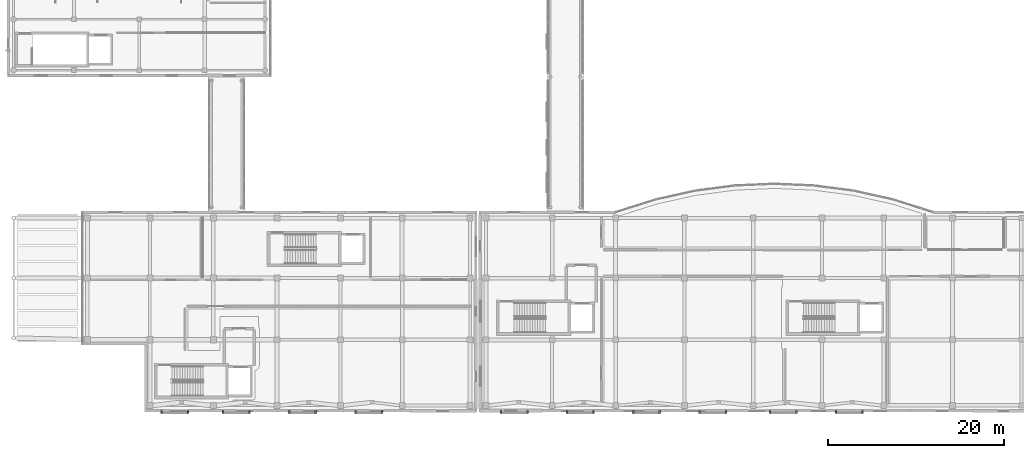
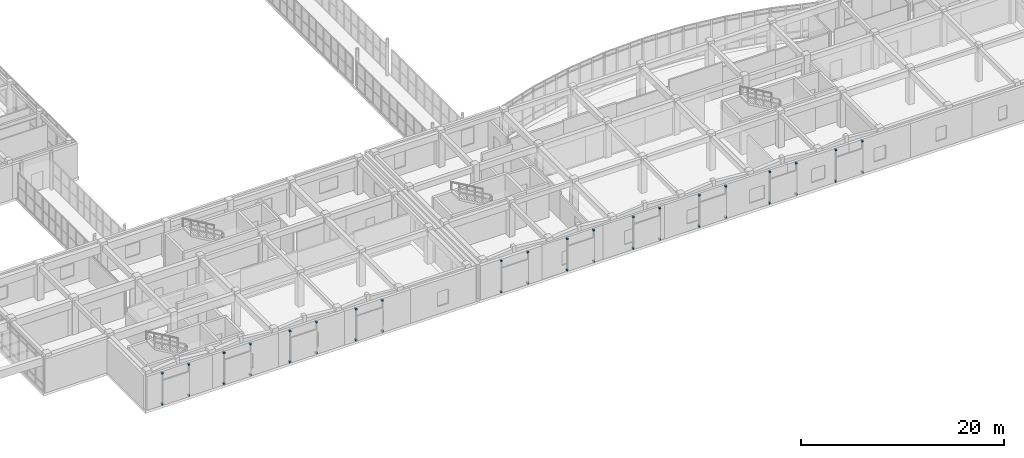
# One storey, part 132 of 142: 40 discrete accessories.
"""IFC4 building model written with IfcOpenShell, lengths in metres."""

from ifc_helpers import new_model, si_unit, direction, frame, origin, origin_2d, place, context, subcontext, project, spatial, rectangle, extrude, material, layer, layer_set, type_object, element, save


model = new_model("IFC4")

# Units and contexts
model_context = context("Model", 3, precision=1e-05, world=origin(), true_north=direction((0.0, 1.0)))
body_context = subcontext(model_context, "Body", "Model", "MODEL_VIEW")
ifc_project = project(units=[si_unit("LENGTHUNIT", "METRE"), si_unit("AREAUNIT", "SQUARE_METRE"), si_unit("VOLUMEUNIT", "CUBIC_METRE"), si_unit("PLANEANGLEUNIT", "RADIAN"), si_unit("MASSUNIT", "GRAM", prefix="KILO")], contexts=[model_context])

# Site, building, storey
site_placement = place(None, origin())
site = spatial("IfcSite", under=ifc_project, at=site_placement, CompositionType="ELEMENT")
building_placement = place(site_placement, origin())
building = spatial("IfcBuilding", under=site, at=building_placement, Name="Valcora Specialist Clinic", CompositionType="ELEMENT")
storey_placement = place(building_placement, frame((0.0, 0.0, 5.10009765625)))
storey = spatial("IfcBuildingStorey", under=building, at=storey_placement, Name="L01", CompositionType="ELEMENT", Elevation=5.10009765625)

# Discrete accessories
ifc_material = material(Name="Stainless Steel AISI 316", Category="steel")
ifc_layer = layer(ifc_material, 0.280029296875)
ifc_layer_set = layer_set([ifc_layer], Name="Stainless Steel AISI 316")
discrete_accessory_type = type_object("IfcDiscreteAccessoryType", Name="TY-DA-BRK250", PredefinedType="BRACKET", material=ifc_layer_set)
for number, where, z_axis, x_axis, name in (
    (1, (17.5, 0.030029296875, 0.08984375), (0.0, 0.0, 1.0), (1.0, 0.0, 0.0), "Stainless facade standoff bracket 41"),
    (2, (17.5, 0.030029296875, 3.80517578125), (0.0, 0.0, 1.0), (1.0, 0.0, 0.0), "Stainless facade standoff bracket 42"),
    (3, (20.5, 0.030029296875, 0.08984375), (0.0, 0.0, 1.0), (1.0, 0.0, 0.0), "Stainless facade standoff bracket 43"),
    (4, (20.5, 0.030029296875, 3.80517578125), (0.0, 0.0, 1.0), (1.0, 0.0, 0.0), "Stainless facade standoff bracket 44"),
    (5, (24.5, 0.030029296875, 0.08984375), (0.0, 0.0, 1.0), (1.0, 0.0, 0.0), "Stainless facade standoff bracket 45"),
    (6, (24.5, 0.030029296875, 3.80517578125), (0.0, 0.0, 1.0), (1.0, 0.0, 0.0), "Stainless facade standoff bracket 46"),
    (7, (27.5, 0.030029296875, 0.08984375), (0.0, 0.0, 1.0), (1.0, 0.0, 0.0), "Stainless facade standoff bracket 47"),
    (8, (27.5, 0.030029296875, 3.80517578125), (0.0, 0.0, 1.0), (1.0, 0.0, 0.0), "Stainless facade standoff bracket 48"),
    (9, (32.0, 0.030029296875, 0.08984375), (0.0, 0.0, 1.0), (1.0, 0.0, 0.0), "Stainless facade standoff bracket 49"),
    (10, (32.0, 0.030029296875, 3.80517578125), (0.0, 0.0, 1.0), (1.0, 0.0, 0.0), "Stainless facade standoff bracket 50"),
    (11, (35.0, 0.030029296875, 0.08984375), (0.0, 0.0, 1.0), (1.0, 0.0, 0.0), "Stainless facade standoff bracket 51"),
    (12, (35.0, 0.030029296875, 3.80517578125), (0.0, 0.0, 1.0), (1.0, 0.0, 0.0), "Stainless facade standoff bracket 52"),
    (13, (39.5, 0.030029296875, 0.08984375), (0.0, 0.0, 1.0), (1.0, 0.0, 0.0), "Stainless facade standoff bracket 53"),
    (14, (39.5, 0.030029296875, 3.80517578125), (0.0, 0.0, 1.0), (1.0, 0.0, 0.0), "Stainless facade standoff bracket 54"),
    (15, (42.5, 0.030029296875, 0.08984375), (0.0, 0.0, 1.0), (1.0, 0.0, 0.0), "Stainless facade standoff bracket 55"),
    (16, (42.5, 0.030029296875, 3.80517578125), (0.0, 0.0, 1.0), (1.0, 0.0, 0.0), "Stainless facade standoff bracket 56"),
    (17, (56.0, 0.030029296875, 0.08984375), (0.0, 0.0, 1.0), (1.0, 0.0, 0.0), "Stainless facade standoff bracket 57"),
    (18, (56.0, 0.030029296875, 3.8349609375), (0.0, 0.0, 1.0), (1.0, 0.0, 0.0), "Stainless facade standoff bracket 58"),
    (19, (59.0, 0.030029296875, 0.08984375), (0.0, 0.0, 1.0), (1.0, 0.0, 0.0), "Stainless facade standoff bracket 59"),
    (20, (59.0, 0.030029296875, 3.8349609375), (0.0, 0.0, 1.0), (1.0, 0.0, 0.0), "Stainless facade standoff bracket 60"),
    (21, (63.5, 0.030029296875, 0.08984375), (0.0, 0.0, 1.0), (1.0, 0.0, 0.0), "Stainless facade standoff bracket 61"),
    (22, (63.5, 0.030029296875, 3.8349609375), (0.0, 0.0, 1.0), (1.0, 0.0, 0.0), "Stainless facade standoff bracket 62"),
    (23, (66.5, 0.030029296875, 0.08984375), (0.0, 0.0, 1.0), (1.0, 0.0, 0.0), "Stainless facade standoff bracket 63"),
    (24, (66.5, 0.030029296875, 3.8349609375), (0.0, 0.0, 1.0), (1.0, 0.0, 0.0), "Stainless facade standoff bracket 64"),
    (25, (71.0, 0.030029296875, 0.08984375), (0.0, 0.0, 1.0), (1.0, 0.0, 0.0), "Stainless facade standoff bracket 65"),
    (26, (71.0, 0.030029296875, 3.8349609375), (0.0, 0.0, 1.0), (1.0, 0.0, 0.0), "Stainless facade standoff bracket 66"),
    (27, (74.0, 0.030029296875, 0.08984375), (0.0, 0.0, 1.0), (1.0, 0.0, 0.0), "Stainless facade standoff bracket 67"),
    (28, (74.0, 0.030029296875, 3.8349609375), (0.0, 0.0, 1.0), (1.0, 0.0, 0.0), "Stainless facade standoff bracket 68"),
    (29, (78.5, 0.030029296875, 0.08984375), (0.0, 0.0, 1.0), (1.0, 0.0, 0.0), "Stainless facade standoff bracket 69"),
    (30, (78.5, 0.030029296875, 3.8349609375), (0.0, 0.0, 1.0), (1.0, 0.0, 0.0), "Stainless facade standoff bracket 70"),
    (31, (81.5, 0.030029296875, 0.08984375), (0.0, 0.0, 1.0), (1.0, 0.0, 0.0), "Stainless facade standoff bracket 71"),
    (32, (81.5, 0.030029296875, 3.8349609375), (0.0, 0.0, 1.0), (1.0, 0.0, 0.0), "Stainless facade standoff bracket 72"),
    (33, (86.5, 0.030029296875, 0.08984375), (0.0, 0.0, 1.0), (1.0, 0.0, 0.0), "Stainless facade standoff bracket 73"),
    (34, (86.5, 0.030029296875, 3.8349609375), (0.0, 0.0, 1.0), (1.0, 0.0, 0.0), "Stainless facade standoff bracket 74"),
    (35, (89.5, 0.030029296875, 0.08984375), (0.0, 0.0, 1.0), (1.0, 0.0, 0.0), "Stainless facade standoff bracket 75"),
    (36, (89.5, 0.030029296875, 3.8349609375), (0.0, 0.0, 1.0), (1.0, 0.0, 0.0), "Stainless facade standoff bracket 76"),
    (37, (94.0, 0.030029296875, 0.08984375), (0.0, 0.0, 1.0), (1.0, 0.0, 0.0), "Stainless facade standoff bracket 77"),
    (38, (94.0, 0.030029296875, 3.8349609375), (0.0, 0.0, 1.0), (1.0, 0.0, 0.0), "Stainless facade standoff bracket 78"),
    (39, (97.0, 0.030029296875, 0.08984375), (0.0, 0.0, 1.0), (1.0, 0.0, 0.0), "Stainless facade standoff bracket 79"),
    (40, (97.0, 0.030029296875, 3.8349609375), (0.0, 0.0, 1.0), (1.0, 0.0, 0.0), "Stainless facade standoff bracket 80"),
):
    element("IfcDiscreteAccessory", number, at=place(storey_placement, frame(where, z_axis=z_axis, x_axis=x_axis)), inside=storey, type_object=discrete_accessory_type, Name=name, PredefinedType="BRACKET", context=body_context, shape_type="SweptSolid", body=[
        extrude(rectangle(XDim=0.179931640625, YDim=0.300048828125, at=origin_2d()), origin(), (0.0, 0.0, 1.0), 0.179931640625),
    ])

save(model, "model.ifc")
